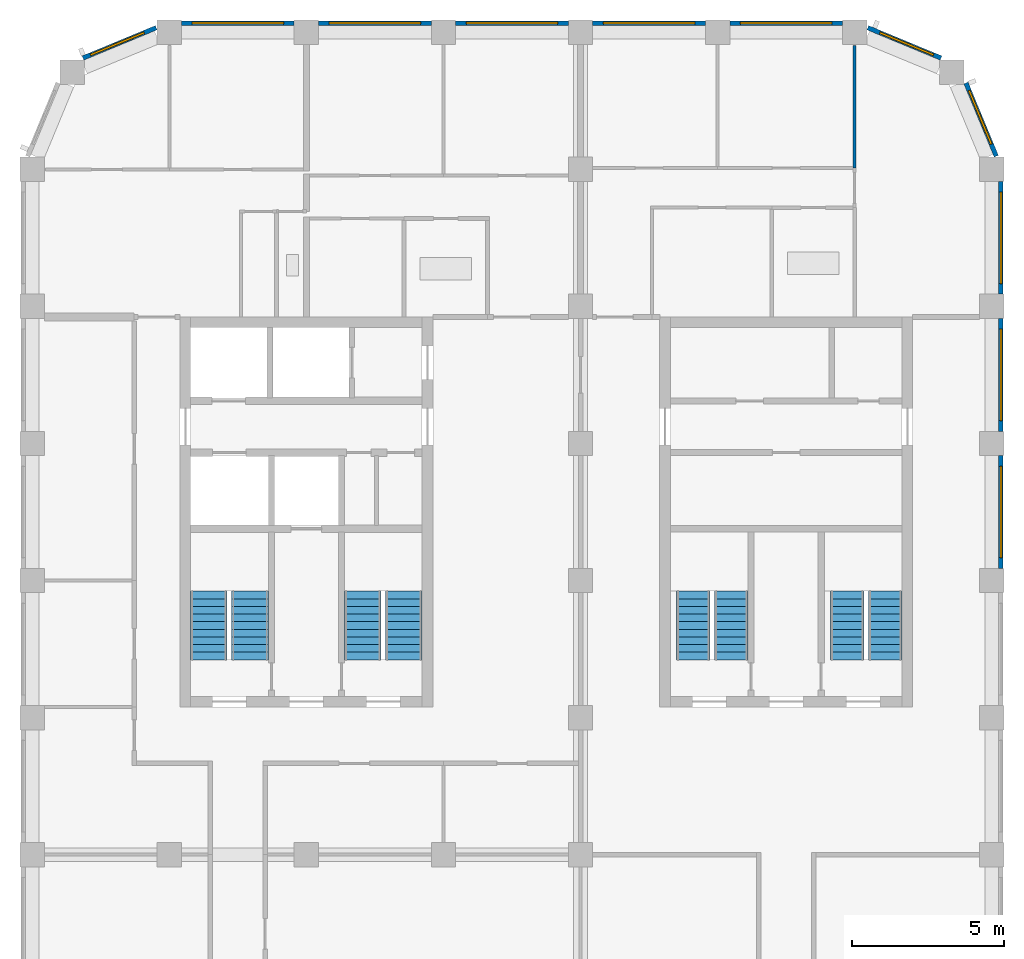
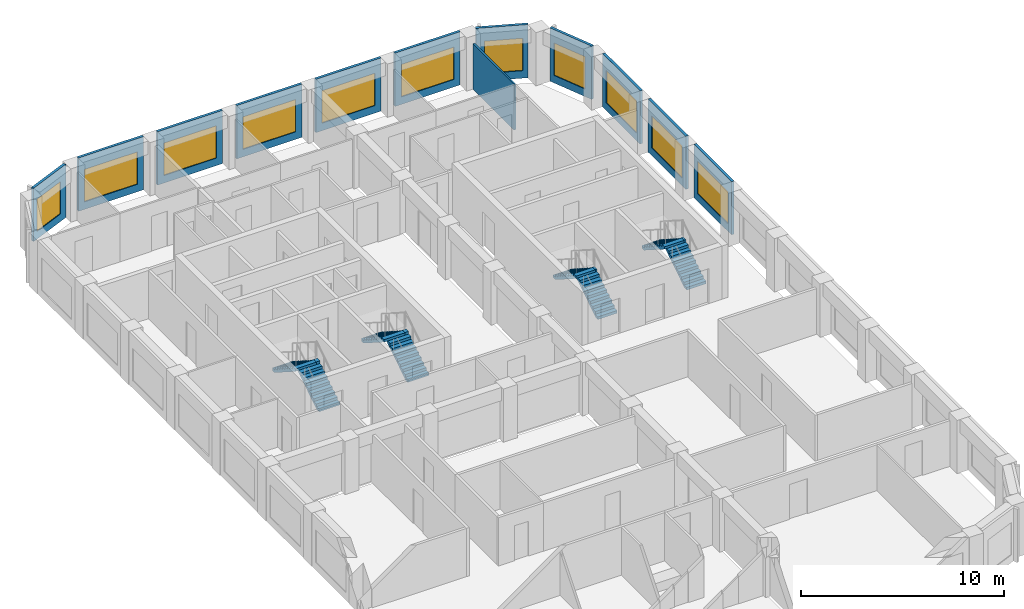
# One storey, part 7 of 9: 12 walls, 11 windows, 8 stair flights, 11 openings, 4 elements without a shape of their own.
"""IFC4 building model written with IfcOpenShell, lengths in metres."""

from ifc_helpers import new_model, si_unit, direction, frame, frame_2d, origin, place, context, subcontext, project, spatial, polyline, rectangle, outline, extrude, material, layer, layer_set, type_object, element, fill, aggregate, save


model = new_model("IFC4")

# Units and contexts
model_context = context("Model", 3, precision=1e-05, world=origin(), true_north=direction((0.0, 1.0)))
body_context = subcontext(model_context, "Body", "Model", "MODEL_VIEW")
ifc_project = project(units=[si_unit("LENGTHUNIT", "METRE"), si_unit("AREAUNIT", "SQUARE_METRE"), si_unit("VOLUMEUNIT", "CUBIC_METRE"), si_unit("PLANEANGLEUNIT", "RADIAN"), si_unit("MASSUNIT", "GRAM", prefix="KILO")], contexts=[model_context])

# Site, building, storey
site_placement = place(None, origin())
site = spatial("IfcSite", under=ifc_project, at=site_placement, CompositionType="ELEMENT")
building_placement = place(site_placement, origin())
building = spatial("IfcBuilding", under=site, at=building_placement, Name="Girih Gate Residences", CompositionType="ELEMENT")
storey_placement = place(building_placement, frame((0.0, 0.0, 213.294921875)))
storey = spatial("IfcBuildingStorey", under=building, at=storey_placement, Name="L59", CompositionType="ELEMENT", Elevation=213.294921875)

# Wall
ifc_material_1 = material(Name="Gypsum board on steel studs", Category="steel")
ifc_layer_1 = layer(ifc_material_1, 0.10009765625)
ifc_layer_set_1 = layer_set([ifc_layer_1], Name="Partition 100 mm")
wall_type_1 = type_object("IfcWallType", Name="Partition 100 mm", PredefinedType="PARTITIONING", material=ifc_layer_set_1)
wall_1_placement = place(storey_placement, frame((27.0, 45.0400390625, 0.0), z_axis=(0.0, 0.0, 1.0), x_axis=(0.0, 1.0, 0.0)))
element("IfcWall", 1, at=wall_1_placement, inside=storey, type_object=wall_type_1, Name="L59 partition", PredefinedType="PARTITIONING", context=body_context, shape_type="SweptSolid", body=[
    extrude(rectangle(XDim=4.027099609375, YDim=0.10009765625, at=frame_2d((2.013671875, 0.0))), origin(), (0.0, 0.0, 1.0), 2.75),
])

# Wall, opening, window
ifc_material_2 = material(Name="Precast concrete C50/60", Category="concrete")
ifc_layer_2 = layer(ifc_material_2, 0.050048828125, Name="Outer leaf")
ifc_material_3 = material(Name="Rigid PIR insulation")
ifc_layer_3 = layer(ifc_material_3, 0.06005859375, Name="Insulation")
ifc_material_4 = material(Name="Precast concrete C40/50", Category="concrete")
ifc_layer_4 = layer(ifc_material_4, 0.0400390625, Name="Inner leaf")
ifc_layer_set_2 = layer_set([ifc_layer_2, ifc_layer_3, ifc_layer_4], Name="Precast concrete C50/60 external wall 150")
wall_type_2 = type_object("IfcWallType", Name="Precast concrete C50/60 external wall 150", PredefinedType="SOLIDWALL", material=ifc_layer_set_2)
wall_2_placement = place(storey_placement, frame((31.800048828125, 35.60009765625, 0.0), z_axis=(0.0, 0.0, 1.0), x_axis=(0.0, -1.0, 0.0)))
wall_2 = element("IfcWall", 2, at=wall_2_placement, inside=storey, type_object=wall_type_2, Name="External wall E0315_0045.6", PredefinedType="SOLIDWALL", context=body_context, shape_type="SweptSolid", body=[
    extrude(rectangle(XDim=3.7001953125, YDim=0.14990234375, at=frame_2d((1.85009765625, 0.0))), origin(), (0.0, 0.0, 1.0), 3.2001953125),
])
opening_1_placement = place(wall_2_placement, frame((0.35009765625, 0.0, 0.449951171875)))
opening_1 = element("IfcOpeningElement", 3, at=opening_1_placement, cuts=wall_2, Name="Opening W-1D", PredefinedType="OPENING", context=body_context, shape_type="SweptSolid", body=[
    extrude(rectangle(XDim=3.0, YDim=1.949951171875, at=frame_2d((1.5, 0.97509765625))), frame((0.0, 0.0849609375, 0.0), z_axis=(0.0, -1.0, 0.0), x_axis=(1.0, 0.0, 0.0)), (0.0, 0.0, 1.0), 0.169921875),
])
ifc_material_5 = material(Name="Double glazing in aluminium frame", Category="aluminium")
window_type_1 = type_object("IfcWindowType", Name="Window W-1D 3000x1950", PartitioningType="SINGLE_PANEL", PredefinedType="WINDOW", material=ifc_material_5)
window_1_placement = place(opening_1_placement, origin())
window_1 = element("IfcWindow", 4, at=window_1_placement, inside=storey, type_object=window_type_1, Name="Window W-1D E0315_0045.6", OverallHeight=1.949951171875, OverallWidth=3.0, PartitioningType="SINGLE_PANEL", PredefinedType="WINDOW", context=body_context, shape_type="SweptSolid", body=[
    extrude(rectangle(XDim=3.0, YDim=1.949951171875, at=frame_2d((1.5, 0.97509765625))), frame((0.0, 0.030029296875, 0.0), z_axis=(0.0, -1.0, 0.0), x_axis=(1.0, 0.0, 0.0)), (0.0, 0.0, 1.0), 0.06005859375),
])
fill(opening_1, window_1)

wall_3_placement = place(storey_placement, frame((31.800048828125, 40.10009765625, 0.0), z_axis=(0.0, 0.0, 1.0), x_axis=(0.0, -1.0, 0.0)))
wall_3 = element("IfcWall", 5, at=wall_3_placement, inside=storey, type_object=wall_type_2, Name="External wall E0315_0045.7", PredefinedType="SOLIDWALL", context=body_context, shape_type="SweptSolid", body=[
    extrude(rectangle(XDim=3.7001953125, YDim=0.14990234375, at=frame_2d((1.85009765625, 0.0))), origin(), (0.0, 0.0, 1.0), 3.2001953125),
])
opening_2_placement = place(wall_3_placement, frame((0.35009765625, 0.0, 0.449951171875)))
opening_2 = element("IfcOpeningElement", 6, at=opening_2_placement, cuts=wall_3, Name="Opening W-1D", PredefinedType="OPENING", context=body_context, shape_type="SweptSolid", body=[
    extrude(rectangle(XDim=3.0, YDim=1.949951171875, at=frame_2d((1.5, 0.97509765625))), frame((0.0, 0.0849609375, 0.0), z_axis=(0.0, -1.0, 0.0), x_axis=(1.0, 0.0, 0.0)), (0.0, 0.0, 1.0), 0.169921875),
])
window_2_placement = place(opening_2_placement, origin())
window_2 = element("IfcWindow", 7, at=window_2_placement, inside=storey, type_object=window_type_1, Name="Window W-1D E0315_0045.7", OverallHeight=1.949951171875, OverallWidth=3.0, PartitioningType="SINGLE_PANEL", PredefinedType="WINDOW", context=body_context, shape_type="SweptSolid", body=[
    extrude(rectangle(XDim=3.0, YDim=1.949951171875, at=frame_2d((1.5, 0.97509765625))), frame((0.0, 0.030029296875, 0.0), z_axis=(0.0, -1.0, 0.0), x_axis=(1.0, 0.0, 0.0)), (0.0, 0.0, 1.0), 0.06005859375),
])
fill(opening_2, window_2)

wall_4_placement = place(storey_placement, frame((31.800048828125, 44.60009765625, 0.0), z_axis=(0.0, 0.0, 1.0), x_axis=(0.0, -1.0, 0.0)))
wall_4 = element("IfcWall", 8, at=wall_4_placement, inside=storey, type_object=wall_type_2, Name="External wall E0315_0045.8", PredefinedType="SOLIDWALL", context=body_context, shape_type="SweptSolid", body=[
    extrude(rectangle(XDim=3.7001953125, YDim=0.14990234375, at=frame_2d((1.85009765625, 0.0))), origin(), (0.0, 0.0, 1.0), 3.2001953125),
])
opening_3_placement = place(wall_4_placement, frame((0.35009765625, 0.0, 0.449951171875)))
opening_3 = element("IfcOpeningElement", 9, at=opening_3_placement, cuts=wall_4, Name="Opening W-1D", PredefinedType="OPENING", context=body_context, shape_type="SweptSolid", body=[
    extrude(rectangle(XDim=3.0, YDim=1.949951171875, at=frame_2d((1.5, 0.97509765625))), frame((0.0, 0.0849609375, 0.0), z_axis=(0.0, -1.0, 0.0), x_axis=(1.0, 0.0, 0.0)), (0.0, 0.0, 1.0), 0.169921875),
])
window_3_placement = place(opening_3_placement, origin())
window_3 = element("IfcWindow", 10, at=window_3_placement, inside=storey, type_object=window_type_1, Name="Window W-1D E0315_0045.8", OverallHeight=1.949951171875, OverallWidth=3.0, PartitioningType="SINGLE_PANEL", PredefinedType="WINDOW", context=body_context, shape_type="SweptSolid", body=[
    extrude(rectangle(XDim=3.0, YDim=1.949951171875, at=frame_2d((1.5, 0.97509765625))), frame((0.0, 0.030029296875, 0.0), z_axis=(0.0, -1.0, 0.0), x_axis=(1.0, 0.0, 0.0)), (0.0, 0.0, 1.0), 0.06005859375),
])
fill(opening_3, window_3)

wall_5_placement = place(storey_placement, frame((30.6513671875, 47.8330078125, 0.0), z_axis=(0.0, 0.0, 1.0), x_axis=(0.382669406082, -0.923885342263, 0.0)))
wall_5 = element("IfcWall", 11, at=wall_5_placement, inside=storey, type_object=wall_type_2, Name="External wall NE0315_0450.0", PredefinedType="SOLIDWALL", context=body_context, shape_type="SweptSolid", body=[
    extrude(rectangle(XDim=2.602294921875, YDim=0.14990234375, at=frame_2d((1.30126953125, 0.0))), origin(), (0.0, 0.0, 1.0), 3.2001953125),
])
opening_4_placement = place(wall_5_placement, frame((0.27001953125, 0.0, 0.449951171875)))
opening_4 = element("IfcOpeningElement", 12, at=opening_4_placement, cuts=wall_5, Name="Opening W-2G", PredefinedType="OPENING", context=body_context, shape_type="SweptSolid", body=[
    extrude(rectangle(XDim=1.89990234375, YDim=1.949951171875, at=frame_2d((0.949951171875, 0.97509765625))), frame((0.0, 0.0849609375, 0.0), z_axis=(0.0, -1.0, 0.0), x_axis=(1.0, 0.0, 0.0)), (0.0, 0.0, 1.0), 0.169921875),
])
window_type_2 = type_object("IfcWindowType", Name="Window W-2G 1900x1950", PartitioningType="SINGLE_PANEL", PredefinedType="WINDOW", material=ifc_material_5)
window_4_placement = place(opening_4_placement, origin())
window_4 = element("IfcWindow", 13, at=window_4_placement, inside=storey, type_object=window_type_2, Name="Window W-2G NE0315_0450.0", OverallHeight=1.949951171875, OverallWidth=1.89990234375, PartitioningType="SINGLE_PANEL", PredefinedType="WINDOW", context=body_context, shape_type="SweptSolid", body=[
    extrude(rectangle(XDim=1.89990234375, YDim=1.949951171875, at=frame_2d((0.949951171875, 0.97509765625))), frame((0.0, 0.030029296875, 0.0), z_axis=(0.0, -1.0, 0.0), x_axis=(1.0, 0.0, 0.0)), (0.0, 0.0, 1.0), 0.06005859375),
])
fill(opening_4, window_4)

wall_6_placement = place(storey_placement, frame((27.4287109375, 49.647216796875, 0.0), z_axis=(0.0, 0.0, 1.0), x_axis=(0.923885342263, -0.382669406082, 0.0)))
wall_6 = element("IfcWall", 14, at=wall_6_placement, inside=storey, type_object=wall_type_2, Name="External wall NE0302_0482.0", PredefinedType="SOLIDWALL", context=body_context, shape_type="SweptSolid", body=[
    extrude(rectangle(XDim=2.602294921875, YDim=0.14990234375, at=frame_2d((1.30126953125, 0.0))), origin(), (0.0, 0.0, 1.0), 3.2001953125),
])
opening_5_placement = place(wall_6_placement, frame((0.432373046875, 0.0, 0.449951171875)))
opening_5 = element("IfcOpeningElement", 15, at=opening_5_placement, cuts=wall_6, Name="Opening W-2G", PredefinedType="OPENING", context=body_context, shape_type="SweptSolid", body=[
    extrude(rectangle(XDim=1.89990234375, YDim=1.949951171875, at=frame_2d((0.949951171875, 0.97509765625))), frame((0.0, 0.0849609375, 0.0), z_axis=(0.0, -1.0, 0.0), x_axis=(1.0, 0.0, 0.0)), (0.0, 0.0, 1.0), 0.169921875),
])
window_5_placement = place(opening_5_placement, origin())
window_5 = element("IfcWindow", 16, at=window_5_placement, inside=storey, type_object=window_type_2, Name="Window W-2G NE0302_0482.0", OverallHeight=1.949951171875, OverallWidth=1.89990234375, PartitioningType="SINGLE_PANEL", PredefinedType="WINDOW", context=body_context, shape_type="SweptSolid", body=[
    extrude(rectangle(XDim=1.89990234375, YDim=1.949951171875, at=frame_2d((0.949951171875, 0.97509765625))), frame((0.0, 0.030029296875, 0.0), z_axis=(0.0, -1.0, 0.0), x_axis=(1.0, 0.0, 0.0)), (0.0, 0.0, 1.0), 0.06005859375),
])
fill(opening_5, window_5)

wall_7_placement = place(storey_placement, frame((22.89990234375, 49.800048828125, 0.0), z_axis=(0.0, 0.0, 1.0), x_axis=(1.0, 0.0, 0.0)))
wall_7 = element("IfcWall", 17, at=wall_7_placement, inside=storey, type_object=wall_type_2, Name="External wall N0270_0495.0", PredefinedType="SOLIDWALL", context=body_context, shape_type="SweptSolid", body=[
    extrude(rectangle(XDim=3.7001953125, YDim=0.14990234375, at=frame_2d((1.85009765625, 0.0))), origin(), (0.0, 0.0, 1.0), 3.2001953125),
])
opening_6_placement = place(wall_7_placement, frame((0.35009765625, 0.0, 0.449951171875)))
opening_6 = element("IfcOpeningElement", 18, at=opening_6_placement, cuts=wall_7, Name="Opening W-1D", PredefinedType="OPENING", context=body_context, shape_type="SweptSolid", body=[
    extrude(rectangle(XDim=3.0, YDim=1.949951171875, at=frame_2d((1.5, 0.97509765625))), frame((0.0, 0.0849609375, 0.0), z_axis=(0.0, -1.0, 0.0), x_axis=(1.0, 0.0, 0.0)), (0.0, 0.0, 1.0), 0.169921875),
])
window_6_placement = place(opening_6_placement, origin())
window_6 = element("IfcWindow", 19, at=window_6_placement, inside=storey, type_object=window_type_1, Name="Window W-1D N0270_0495.0", OverallHeight=1.949951171875, OverallWidth=3.0, PartitioningType="SINGLE_PANEL", PredefinedType="WINDOW", context=body_context, shape_type="SweptSolid", body=[
    extrude(rectangle(XDim=3.0, YDim=1.949951171875, at=frame_2d((1.5, 0.97509765625))), frame((0.0, 0.030029296875, 0.0), z_axis=(0.0, -1.0, 0.0), x_axis=(1.0, 0.0, 0.0)), (0.0, 0.0, 1.0), 0.06005859375),
])
fill(opening_6, window_6)

wall_8_placement = place(storey_placement, frame((18.39990234375, 49.800048828125, 0.0), z_axis=(0.0, 0.0, 1.0), x_axis=(1.0, 0.0, 0.0)))
wall_8 = element("IfcWall", 20, at=wall_8_placement, inside=storey, type_object=wall_type_2, Name="External wall N0270_0495.1", PredefinedType="SOLIDWALL", context=body_context, shape_type="SweptSolid", body=[
    extrude(rectangle(XDim=3.7001953125, YDim=0.14990234375, at=frame_2d((1.85009765625, 0.0))), origin(), (0.0, 0.0, 1.0), 3.2001953125),
])
opening_7_placement = place(wall_8_placement, frame((0.35009765625, 0.0, 0.449951171875)))
opening_7 = element("IfcOpeningElement", 21, at=opening_7_placement, cuts=wall_8, Name="Opening W-1D", PredefinedType="OPENING", context=body_context, shape_type="SweptSolid", body=[
    extrude(rectangle(XDim=3.0, YDim=1.949951171875, at=frame_2d((1.5, 0.97509765625))), frame((0.0, 0.0849609375, 0.0), z_axis=(0.0, -1.0, 0.0), x_axis=(1.0, 0.0, 0.0)), (0.0, 0.0, 1.0), 0.169921875),
])
window_7_placement = place(opening_7_placement, origin())
window_7 = element("IfcWindow", 22, at=window_7_placement, inside=storey, type_object=window_type_1, Name="Window W-1D N0270_0495.1", OverallHeight=1.949951171875, OverallWidth=3.0, PartitioningType="SINGLE_PANEL", PredefinedType="WINDOW", context=body_context, shape_type="SweptSolid", body=[
    extrude(rectangle(XDim=3.0, YDim=1.949951171875, at=frame_2d((1.5, 0.97509765625))), frame((0.0, 0.030029296875, 0.0), z_axis=(0.0, -1.0, 0.0), x_axis=(1.0, 0.0, 0.0)), (0.0, 0.0, 1.0), 0.06005859375),
])
fill(opening_7, window_7)

wall_9_placement = place(storey_placement, frame((13.89990234375, 49.800048828125, 0.0), z_axis=(0.0, 0.0, 1.0), x_axis=(1.0, 0.0, 0.0)))
wall_9 = element("IfcWall", 23, at=wall_9_placement, inside=storey, type_object=wall_type_2, Name="External wall N0270_0495.2", PredefinedType="SOLIDWALL", context=body_context, shape_type="SweptSolid", body=[
    extrude(rectangle(XDim=3.7001953125, YDim=0.14990234375, at=frame_2d((1.85009765625, 0.0))), origin(), (0.0, 0.0, 1.0), 3.2001953125),
])
opening_8_placement = place(wall_9_placement, frame((0.35009765625, 0.0, 0.449951171875)))
opening_8 = element("IfcOpeningElement", 24, at=opening_8_placement, cuts=wall_9, Name="Opening W-1D", PredefinedType="OPENING", context=body_context, shape_type="SweptSolid", body=[
    extrude(rectangle(XDim=3.0, YDim=1.949951171875, at=frame_2d((1.5, 0.97509765625))), frame((0.0, 0.0849609375, 0.0), z_axis=(0.0, -1.0, 0.0), x_axis=(1.0, 0.0, 0.0)), (0.0, 0.0, 1.0), 0.169921875),
])
window_8_placement = place(opening_8_placement, origin())
window_8 = element("IfcWindow", 25, at=window_8_placement, inside=storey, type_object=window_type_1, Name="Window W-1D N0270_0495.2", OverallHeight=1.949951171875, OverallWidth=3.0, PartitioningType="SINGLE_PANEL", PredefinedType="WINDOW", context=body_context, shape_type="SweptSolid", body=[
    extrude(rectangle(XDim=3.0, YDim=1.949951171875, at=frame_2d((1.5, 0.97509765625))), frame((0.0, 0.030029296875, 0.0), z_axis=(0.0, -1.0, 0.0), x_axis=(1.0, 0.0, 0.0)), (0.0, 0.0, 1.0), 0.06005859375),
])
fill(opening_8, window_8)

wall_10_placement = place(storey_placement, frame((9.39990234375, 49.800048828125, 0.0), z_axis=(0.0, 0.0, 1.0), x_axis=(1.0, 0.0, 0.0)))
wall_10 = element("IfcWall", 26, at=wall_10_placement, inside=storey, type_object=wall_type_2, Name="External wall N0270_0495.3", PredefinedType="SOLIDWALL", context=body_context, shape_type="SweptSolid", body=[
    extrude(rectangle(XDim=3.7001953125, YDim=0.14990234375, at=frame_2d((1.85009765625, 0.0))), origin(), (0.0, 0.0, 1.0), 3.2001953125),
])
opening_9_placement = place(wall_10_placement, frame((0.35009765625, 0.0, 0.449951171875)))
opening_9 = element("IfcOpeningElement", 27, at=opening_9_placement, cuts=wall_10, Name="Opening W-1D", PredefinedType="OPENING", context=body_context, shape_type="SweptSolid", body=[
    extrude(rectangle(XDim=3.0, YDim=1.949951171875, at=frame_2d((1.5, 0.97509765625))), frame((0.0, 0.0849609375, 0.0), z_axis=(0.0, -1.0, 0.0), x_axis=(1.0, 0.0, 0.0)), (0.0, 0.0, 1.0), 0.169921875),
])
window_9_placement = place(opening_9_placement, origin())
window_9 = element("IfcWindow", 28, at=window_9_placement, inside=storey, type_object=window_type_1, Name="Window W-1D N0270_0495.3", OverallHeight=1.949951171875, OverallWidth=3.0, PartitioningType="SINGLE_PANEL", PredefinedType="WINDOW", context=body_context, shape_type="SweptSolid", body=[
    extrude(rectangle(XDim=3.0, YDim=1.949951171875, at=frame_2d((1.5, 0.97509765625))), frame((0.0, 0.030029296875, 0.0), z_axis=(0.0, -1.0, 0.0), x_axis=(1.0, 0.0, 0.0)), (0.0, 0.0, 1.0), 0.06005859375),
])
fill(opening_9, window_9)

wall_11_placement = place(storey_placement, frame((4.89990234375, 49.800048828125, 0.0), z_axis=(0.0, 0.0, 1.0), x_axis=(1.0, 0.0, 0.0)))
wall_11 = element("IfcWall", 29, at=wall_11_placement, inside=storey, type_object=wall_type_2, Name="External wall N0270_0495.4", PredefinedType="SOLIDWALL", context=body_context, shape_type="SweptSolid", body=[
    extrude(rectangle(XDim=3.7001953125, YDim=0.14990234375, at=frame_2d((1.85009765625, 0.0))), origin(), (0.0, 0.0, 1.0), 3.2001953125),
])
opening_10_placement = place(wall_11_placement, frame((0.35009765625, 0.0, 0.449951171875)))
opening_10 = element("IfcOpeningElement", 30, at=opening_10_placement, cuts=wall_11, Name="Opening W-1D", PredefinedType="OPENING", context=body_context, shape_type="SweptSolid", body=[
    extrude(rectangle(XDim=3.0, YDim=1.949951171875, at=frame_2d((1.5, 0.97509765625))), frame((0.0, 0.0849609375, 0.0), z_axis=(0.0, -1.0, 0.0), x_axis=(1.0, 0.0, 0.0)), (0.0, 0.0, 1.0), 0.169921875),
])
window_10_placement = place(opening_10_placement, origin())
window_10 = element("IfcWindow", 31, at=window_10_placement, inside=storey, type_object=window_type_1, Name="Window W-1D N0270_0495.4", OverallHeight=1.949951171875, OverallWidth=3.0, PartitioningType="SINGLE_PANEL", PredefinedType="WINDOW", context=body_context, shape_type="SweptSolid", body=[
    extrude(rectangle(XDim=3.0, YDim=1.949951171875, at=frame_2d((1.5, 0.97509765625))), frame((0.0, 0.030029296875, 0.0), z_axis=(0.0, -1.0, 0.0), x_axis=(1.0, 0.0, 0.0)), (0.0, 0.0, 1.0), 0.06005859375),
])
fill(opening_10, window_10)

wall_12_placement = place(storey_placement, frame((1.6669921875, 48.6513671875, 0.0), z_axis=(0.0, 0.0, 1.0), x_axis=(0.923885342263, 0.382669406082, 0.0)))
wall_12 = element("IfcWall", 32, at=wall_12_placement, inside=storey, type_object=wall_type_2, Name="External wall NW0045_0495.0", PredefinedType="SOLIDWALL", context=body_context, shape_type="SweptSolid", body=[
    extrude(rectangle(XDim=2.602294921875, YDim=0.14990234375, at=frame_2d((1.30126953125, 0.0))), origin(), (0.0, 0.0, 1.0), 3.2001953125),
])
opening_11_placement = place(wall_12_placement, frame((0.27001953125, 0.0, 0.449951171875)))
opening_11 = element("IfcOpeningElement", 33, at=opening_11_placement, cuts=wall_12, Name="Opening W-2G", PredefinedType="OPENING", context=body_context, shape_type="SweptSolid", body=[
    extrude(rectangle(XDim=1.89990234375, YDim=1.949951171875, at=frame_2d((0.949951171875, 0.97509765625))), frame((0.0, 0.0849609375, 0.0), z_axis=(0.0, -1.0, 0.0), x_axis=(1.0, 0.0, 0.0)), (0.0, 0.0, 1.0), 0.169921875),
])
window_11_placement = place(opening_11_placement, origin())
window_11 = element("IfcWindow", 34, at=window_11_placement, inside=storey, type_object=window_type_2, Name="Window W-2G NW0045_0495.0", OverallHeight=1.949951171875, OverallWidth=1.89990234375, PartitioningType="SINGLE_PANEL", PredefinedType="WINDOW", context=body_context, shape_type="SweptSolid", body=[
    extrude(rectangle(XDim=1.89990234375, YDim=1.949951171875, at=frame_2d((0.949951171875, 0.97509765625))), frame((0.0, 0.030029296875, 0.0), z_axis=(0.0, -1.0, 0.0), x_axis=(1.0, 0.0, 0.0)), (0.0, 0.0, 1.0), 0.06005859375),
])
fill(opening_11, window_11)

# Stair, stair flights
ifc_material_6 = material(Name="Concrete C40/50", Category="concrete")
stair_type_1 = type_object("IfcStairType", Name="Exit stair C core", PredefinedType="HALF_TURN_STAIR", material=ifc_material_6)
stair_1_placement = place(storey_placement, origin())
stair_1 = element("IfcStair", 35, at=stair_1_placement, inside=storey, type_object=stair_type_1, Name="L59 Exit Stair ST-C1", PredefinedType="HALF_TURN_STAIR")
stair_flight_type_1 = type_object("IfcStairFlightType", Name="Stair flight 1100", PredefinedType="STRAIGHT", material=ifc_material_6)
stair_flight_1_placement = place(storey_placement, frame((22.949951171875, 28.89990234375, 0.0), z_axis=(0.0, 0.0, 1.0), x_axis=(0.0, 1.0, 0.0)))
stair_flight_1 = element("IfcStairFlight", 36, at=stair_flight_1_placement, type_object=stair_flight_type_1, Name="ST-C1 flight 1", NumberOfRisers=10, NumberOfTreads=9, PredefinedType="STRAIGHT", RiserHeight=0.16, TreadLength=0.25, context=body_context, shape_type="SweptSolid", body=[
    extrude(outline(polyline([(0.0, 0.0), (0.0, 0.159912109375), (0.25, 0.159912109375), (0.25, 0.320068359375), (0.5, 0.320068359375), (0.5, 0.47998046875), (0.75, 0.47998046875), (0.75, 0.639892578125), (1.0, 0.639892578125), (1.0, 0.800048828125), (1.25, 0.800048828125), (1.25, 0.9599609375), (1.5, 0.9599609375), (1.5, 1.1201171875), (1.75, 1.1201171875), (1.75, 1.280029296875), (2.0, 1.280029296875), (2.0, 1.43994140625), (2.25, 1.43994140625), (2.25, 1.60009765625), (2.25, 1.29736328125), (0.222900390625, 0.0), (0.0, 0.0)])), frame((0.0, 0.550048828125, 0.0), z_axis=(0.0, -1.0, 0.0), x_axis=(1.0, 0.0, 0.0)), (0.0, 0.0, 1.0), 1.10009765625),
])
stair_flight_2_placement = place(storey_placement, frame((21.699951171875, 31.14990234375, 1.60009765625), z_axis=(0.0, 0.0, 1.0), x_axis=(0.0, -1.0, 0.0)))
stair_flight_2 = element("IfcStairFlight", 37, at=stair_flight_2_placement, type_object=stair_flight_type_1, Name="ST-C1 flight 2", NumberOfRisers=10, NumberOfTreads=9, PredefinedType="STRAIGHT", RiserHeight=0.16, TreadLength=0.25, context=body_context, shape_type="SweptSolid", body=[
    extrude(outline(polyline([(0.0, 0.0), (0.0, 0.159912109375), (0.25, 0.159912109375), (0.25, 0.320068359375), (0.5, 0.320068359375), (0.5, 0.47998046875), (0.75, 0.47998046875), (0.75, 0.639892578125), (1.0, 0.639892578125), (1.0, 0.800048828125), (1.25, 0.800048828125), (1.25, 0.9599609375), (1.5, 0.9599609375), (1.5, 1.1201171875), (1.75, 1.1201171875), (1.75, 1.280029296875), (2.0, 1.280029296875), (2.0, 1.43994140625), (2.25, 1.43994140625), (2.25, 1.60009765625), (2.25, 1.29736328125), (0.222900390625, 0.0), (0.0, 0.0)])), frame((0.0, 0.550048828125, 0.0), z_axis=(0.0, -1.0, 0.0), x_axis=(1.0, 0.0, 0.0)), (0.0, 0.0, 1.0), 1.10009765625),
])
aggregate(stair_1, [stair_flight_1, stair_flight_2])

stair_2_placement = place(storey_placement, origin())
stair_2 = element("IfcStair", 38, at=stair_2_placement, inside=storey, type_object=stair_type_1, Name="L59 Exit Stair ST-C2", PredefinedType="HALF_TURN_STAIR")
stair_flight_3_placement = place(storey_placement, frame((28.0, 28.89990234375, 0.0), z_axis=(0.0, 0.0, 1.0), x_axis=(0.0, 1.0, 0.0)))
stair_flight_3 = element("IfcStairFlight", 39, at=stair_flight_3_placement, type_object=stair_flight_type_1, Name="ST-C2 flight 1", NumberOfRisers=10, NumberOfTreads=9, PredefinedType="STRAIGHT", RiserHeight=0.16, TreadLength=0.25, context=body_context, shape_type="SweptSolid", body=[
    extrude(outline(polyline([(0.0, 0.0), (0.0, 0.159912109375), (0.25, 0.159912109375), (0.25, 0.320068359375), (0.5, 0.320068359375), (0.5, 0.47998046875), (0.75, 0.47998046875), (0.75, 0.639892578125), (1.0, 0.639892578125), (1.0, 0.800048828125), (1.25, 0.800048828125), (1.25, 0.9599609375), (1.5, 0.9599609375), (1.5, 1.1201171875), (1.75, 1.1201171875), (1.75, 1.280029296875), (2.0, 1.280029296875), (2.0, 1.43994140625), (2.25, 1.43994140625), (2.25, 1.60009765625), (2.25, 1.29736328125), (0.222900390625, 0.0), (0.0, 0.0)])), frame((0.0, 0.550048828125, 0.0), z_axis=(0.0, -1.0, 0.0), x_axis=(1.0, 0.0, 0.0)), (0.0, 0.0, 1.0), 1.10009765625),
])
stair_flight_4_placement = place(storey_placement, frame((26.75, 31.14990234375, 1.60009765625), z_axis=(0.0, 0.0, 1.0), x_axis=(0.0, -1.0, 0.0)))
stair_flight_4 = element("IfcStairFlight", 40, at=stair_flight_4_placement, type_object=stair_flight_type_1, Name="ST-C2 flight 2", NumberOfRisers=10, NumberOfTreads=9, PredefinedType="STRAIGHT", RiserHeight=0.16, TreadLength=0.25, context=body_context, shape_type="SweptSolid", body=[
    extrude(outline(polyline([(0.0, 0.0), (0.0, 0.159912109375), (0.25, 0.159912109375), (0.25, 0.320068359375), (0.5, 0.320068359375), (0.5, 0.47998046875), (0.75, 0.47998046875), (0.75, 0.639892578125), (1.0, 0.639892578125), (1.0, 0.800048828125), (1.25, 0.800048828125), (1.25, 0.9599609375), (1.5, 0.9599609375), (1.5, 1.1201171875), (1.75, 1.1201171875), (1.75, 1.280029296875), (2.0, 1.280029296875), (2.0, 1.43994140625), (2.25, 1.43994140625), (2.25, 1.60009765625), (2.25, 1.29736328125), (0.222900390625, 0.0), (0.0, 0.0)])), frame((0.0, 0.550048828125, 0.0), z_axis=(0.0, -1.0, 0.0), x_axis=(1.0, 0.0, 0.0)), (0.0, 0.0, 1.0), 1.10009765625),
])
aggregate(stair_2, [stair_flight_3, stair_flight_4])

stair_type_2 = type_object("IfcStairType", Name="Exit stair", PredefinedType="HALF_TURN_STAIR", material=ifc_material_6)
stair_3_placement = place(storey_placement, origin())
stair_3 = element("IfcStair", 41, at=stair_3_placement, inside=storey, type_object=stair_type_2, Name="L59 Exit Stair ST-W1", PredefinedType="HALF_TURN_STAIR")
stair_flight_type_2 = type_object("IfcStairFlightType", Name="Stair flight 1200", PredefinedType="STRAIGHT", material=ifc_material_6)
stair_flight_5_placement = place(storey_placement, frame((7.14990234375, 28.89990234375, 0.0), z_axis=(0.0, 0.0, 1.0), x_axis=(0.0, 1.0, 0.0)))
stair_flight_5 = element("IfcStairFlight", 42, at=stair_flight_5_placement, type_object=stair_flight_type_2, Name="ST-W1 flight 1", NumberOfRisers=10, NumberOfTreads=9, PredefinedType="STRAIGHT", RiserHeight=0.16, TreadLength=0.25, context=body_context, shape_type="SweptSolid", body=[
    extrude(outline(polyline([(0.0, 0.0), (0.0, 0.159912109375), (0.25, 0.159912109375), (0.25, 0.320068359375), (0.5, 0.320068359375), (0.5, 0.47998046875), (0.75, 0.47998046875), (0.75, 0.639892578125), (1.0, 0.639892578125), (1.0, 0.800048828125), (1.25, 0.800048828125), (1.25, 0.9599609375), (1.5, 0.9599609375), (1.5, 1.1201171875), (1.75, 1.1201171875), (1.75, 1.280029296875), (2.0, 1.280029296875), (2.0, 1.43994140625), (2.25, 1.43994140625), (2.25, 1.60009765625), (2.25, 1.29736328125), (0.222900390625, 0.0), (0.0, 0.0)])), frame((0.0, 0.60009765625, 0.0), z_axis=(0.0, -1.0, 0.0), x_axis=(1.0, 0.0, 0.0)), (0.0, 0.0, 1.0), 1.199951171875),
])
stair_flight_6_placement = place(storey_placement, frame((5.800048828125, 31.14990234375, 1.60009765625), z_axis=(0.0, 0.0, 1.0), x_axis=(0.0, -1.0, 0.0)))
stair_flight_6 = element("IfcStairFlight", 43, at=stair_flight_6_placement, type_object=stair_flight_type_2, Name="ST-W1 flight 2", NumberOfRisers=10, NumberOfTreads=9, PredefinedType="STRAIGHT", RiserHeight=0.16, TreadLength=0.25, context=body_context, shape_type="SweptSolid", body=[
    extrude(outline(polyline([(0.0, 0.0), (0.0, 0.159912109375), (0.25, 0.159912109375), (0.25, 0.320068359375), (0.5, 0.320068359375), (0.5, 0.47998046875), (0.75, 0.47998046875), (0.75, 0.639892578125), (1.0, 0.639892578125), (1.0, 0.800048828125), (1.25, 0.800048828125), (1.25, 0.9599609375), (1.5, 0.9599609375), (1.5, 1.1201171875), (1.75, 1.1201171875), (1.75, 1.280029296875), (2.0, 1.280029296875), (2.0, 1.43994140625), (2.25, 1.43994140625), (2.25, 1.60009765625), (2.25, 1.29736328125), (0.222900390625, 0.0), (0.0, 0.0)])), frame((0.0, 0.60009765625, 0.0), z_axis=(0.0, -1.0, 0.0), x_axis=(1.0, 0.0, 0.0)), (0.0, 0.0, 1.0), 1.199951171875),
])
aggregate(stair_3, [stair_flight_5, stair_flight_6])

stair_4_placement = place(storey_placement, origin())
stair_4 = element("IfcStair", 44, at=stair_4_placement, inside=storey, type_object=stair_type_2, Name="L59 Exit Stair ST-W2", PredefinedType="HALF_TURN_STAIR")
stair_flight_7_placement = place(storey_placement, frame((12.199951171875, 28.89990234375, 0.0), z_axis=(0.0, 0.0, 1.0), x_axis=(0.0, 1.0, 0.0)))
stair_flight_7 = element("IfcStairFlight", 45, at=stair_flight_7_placement, type_object=stair_flight_type_2, Name="ST-W2 flight 1", NumberOfRisers=10, NumberOfTreads=9, PredefinedType="STRAIGHT", RiserHeight=0.16, TreadLength=0.25, context=body_context, shape_type="SweptSolid", body=[
    extrude(outline(polyline([(0.0, 0.0), (0.0, 0.159912109375), (0.25, 0.159912109375), (0.25, 0.320068359375), (0.5, 0.320068359375), (0.5, 0.47998046875), (0.75, 0.47998046875), (0.75, 0.639892578125), (1.0, 0.639892578125), (1.0, 0.800048828125), (1.25, 0.800048828125), (1.25, 0.9599609375), (1.5, 0.9599609375), (1.5, 1.1201171875), (1.75, 1.1201171875), (1.75, 1.280029296875), (2.0, 1.280029296875), (2.0, 1.43994140625), (2.25, 1.43994140625), (2.25, 1.60009765625), (2.25, 1.29736328125), (0.222900390625, 0.0), (0.0, 0.0)])), frame((0.0, 0.60009765625, 0.0), z_axis=(0.0, -1.0, 0.0), x_axis=(1.0, 0.0, 0.0)), (0.0, 0.0, 1.0), 1.199951171875),
])
stair_flight_8_placement = place(storey_placement, frame((10.85009765625, 31.14990234375, 1.60009765625), z_axis=(0.0, 0.0, 1.0), x_axis=(0.0, -1.0, 0.0)))
stair_flight_8 = element("IfcStairFlight", 46, at=stair_flight_8_placement, type_object=stair_flight_type_2, Name="ST-W2 flight 2", NumberOfRisers=10, NumberOfTreads=9, PredefinedType="STRAIGHT", RiserHeight=0.16, TreadLength=0.25, context=body_context, shape_type="SweptSolid", body=[
    extrude(outline(polyline([(0.0, 0.0), (0.0, 0.159912109375), (0.25, 0.159912109375), (0.25, 0.320068359375), (0.5, 0.320068359375), (0.5, 0.47998046875), (0.75, 0.47998046875), (0.75, 0.639892578125), (1.0, 0.639892578125), (1.0, 0.800048828125), (1.25, 0.800048828125), (1.25, 0.9599609375), (1.5, 0.9599609375), (1.5, 1.1201171875), (1.75, 1.1201171875), (1.75, 1.280029296875), (2.0, 1.280029296875), (2.0, 1.43994140625), (2.25, 1.43994140625), (2.25, 1.60009765625), (2.25, 1.29736328125), (0.222900390625, 0.0), (0.0, 0.0)])), frame((0.0, 0.60009765625, 0.0), z_axis=(0.0, -1.0, 0.0), x_axis=(1.0, 0.0, 0.0)), (0.0, 0.0, 1.0), 1.199951171875),
])
aggregate(stair_4, [stair_flight_7, stair_flight_8])

save(model, "model.ifc")
